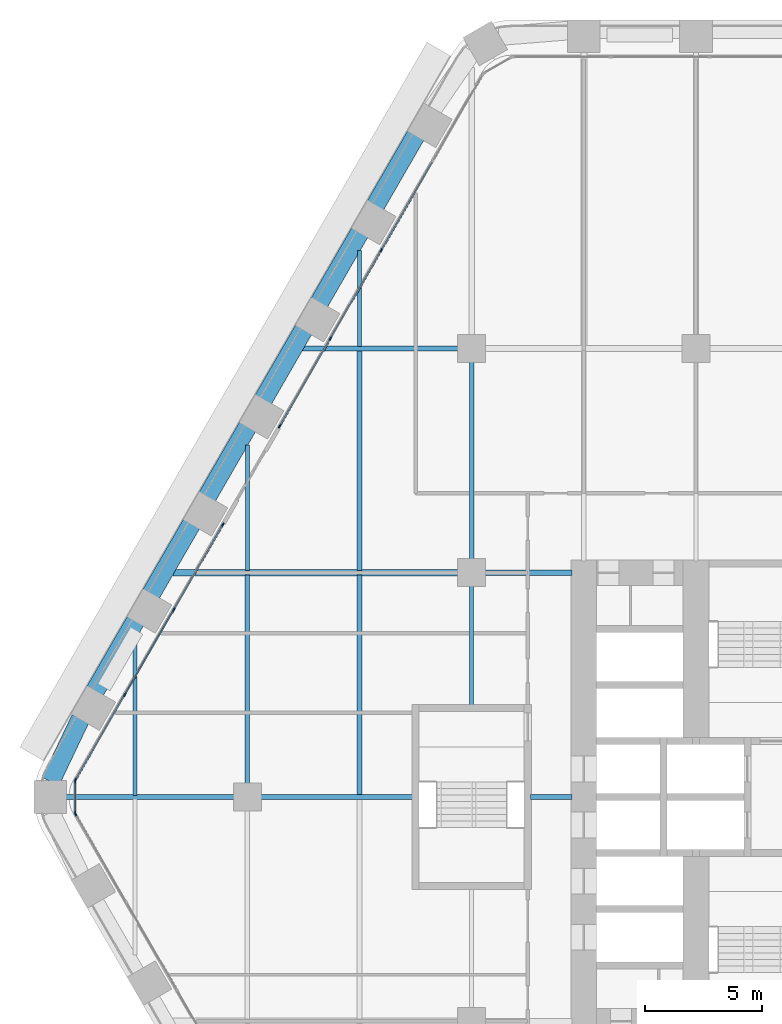
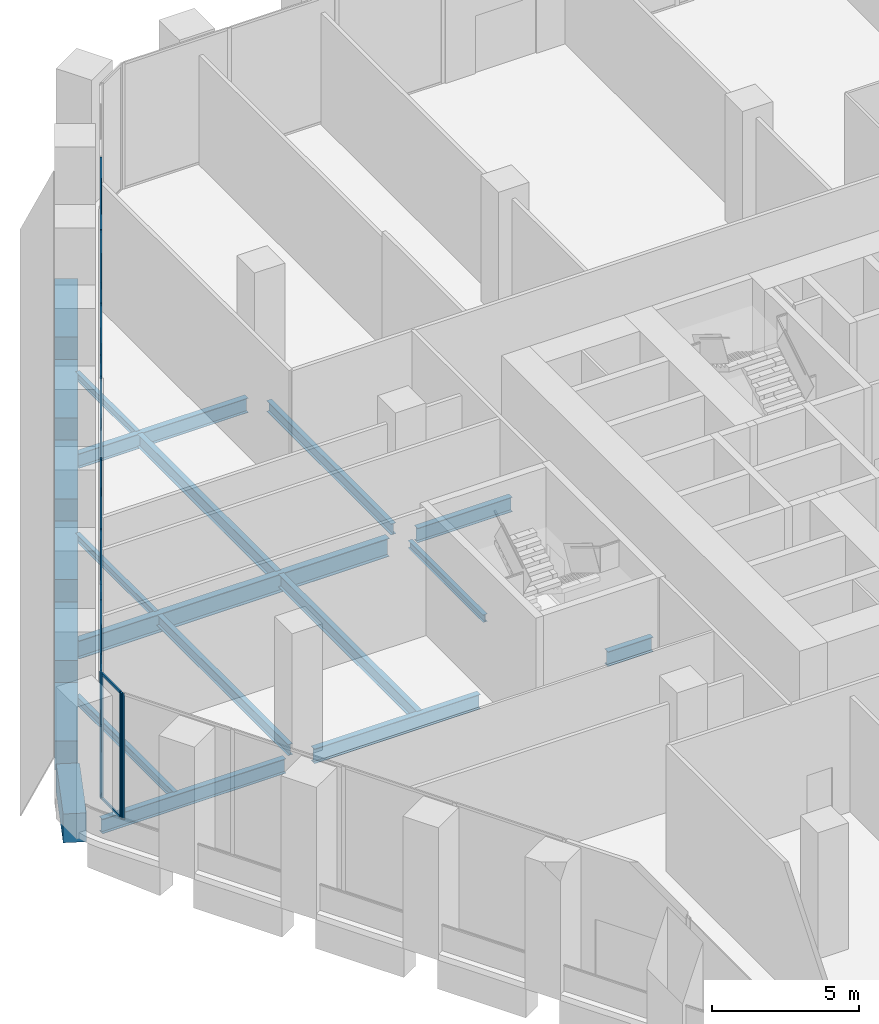
# One storey, part 7 of 27: 24 members, 21 beams, 4 elements without a shape of their own.
"""IFC4 building model written with IfcOpenShell, lengths in metres."""

from ifc_helpers import new_model, si_unit, direction, frame, origin, origin_2d, place, context, subcontext, project, spatial, rectangle, i_section, extrude, material, material_profile, profile_set, type_object, element, aggregate, save


model = new_model("IFC4")

# Units and contexts
model_context = context("Model", 3, precision=1e-05, world=origin(), true_north=direction((0.0, 1.0)))
body_context = subcontext(model_context, "Body", "Model", "MODEL_VIEW")
ifc_project = project(units=[si_unit("LENGTHUNIT", "METRE"), si_unit("AREAUNIT", "SQUARE_METRE"), si_unit("VOLUMEUNIT", "CUBIC_METRE"), si_unit("PLANEANGLEUNIT", "RADIAN"), si_unit("MASSUNIT", "GRAM", prefix="KILO")], contexts=[model_context])

# Site, building, storey
site_placement = place(None, origin())
site = spatial("IfcSite", under=ifc_project, at=site_placement, CompositionType="ELEMENT")
building_placement = place(site_placement, origin())
building = spatial("IfcBuilding", under=site, at=building_placement, Name="Kolab Exchange Tower", CompositionType="ELEMENT")
storey_placement = place(building_placement, frame((0.0, 0.0, 22.39990234375)))
storey = spatial("IfcBuildingStorey", under=building, at=storey_placement, Name="L04", CompositionType="ELEMENT", Elevation=22.39990234375)

# Beams
ifc_material_1 = material(Name="Steel S355", Category="steel")
ifc_material_profile_1 = material_profile(ifc_material_1, i_section(OverallWidth=0.1650390625, OverallDepth=0.31005859375, WebThickness=0.005859375, FlangeThickness=0.009765625, at=origin_2d()), Name="W310X39")
ifc_profile_set_1 = profile_set([ifc_material_profile_1], Name="Steel S355")
beam_type_1 = type_object("IfcBeamType", Name="FLOOR BEAM W310X39", PredefinedType="BEAM", material=ifc_profile_set_1)
beam_1_placement = place(storey_placement, frame((-28.800048828125, 9.693603515625, -0.40478515625), z_axis=(0.0, 1.0, 0.0), x_axis=(-1.0, 0.0, 0.0)))
element("IfcBeam", 1, at=beam_1_placement, inside=storey, type_object=beam_type_1, Name="beam/L04/fr/005", PredefinedType="BEAM", context=body_context, shape_type="SweptSolid", body=[
    extrude(i_section(OverallWidth=0.1650390625, OverallDepth=0.31005859375, WebThickness=0.005859375, FlangeThickness=0.009765625, at=origin_2d()), origin(), (0.0, 0.0, 1.0), 5.3740234375),
])
beam_2_placement = place(storey_placement, frame((-24.0, 19.27392578125, -0.40478515625), z_axis=(0.0, 1.0, 0.0), x_axis=(-1.0, 0.0, 0.0)))
element("IfcBeam", 2, at=beam_2_placement, inside=storey, type_object=beam_type_1, Name="beam/L04/fr/011", PredefinedType="BEAM", context=body_context, shape_type="SweptSolid", body=[
    extrude(i_section(OverallWidth=0.1650390625, OverallDepth=0.31005859375, WebThickness=0.005859375, FlangeThickness=0.009765625, at=origin_2d()), origin(), (0.0, 0.0, 1.0), 4.107666015625),
])
beam_3_placement = place(storey_placement, frame((-19.199951171875, 3.909912109375, -0.40478515625), z_axis=(0.0, 1.0, 0.0), x_axis=(-1.0, 0.0, 0.0)))
element("IfcBeam", 3, at=beam_3_placement, inside=storey, type_object=beam_type_1, Name="beam/L04/fr/015", PredefinedType="BEAM", context=body_context, shape_type="SweptSolid", body=[
    extrude(i_section(OverallWidth=0.1650390625, OverallDepth=0.31005859375, WebThickness=0.005859375, FlangeThickness=0.009765625, at=origin_2d()), origin(), (0.0, 0.0, 1.0), 5.130126953125),
])
ifc_material_profile_2 = material_profile(ifc_material_1, i_section(OverallWidth=0.1708984375, OverallDepth=0.35498046875, WebThickness=0.007080078125, FlangeThickness=0.01171875, at=origin_2d()), Name="W360X51")
ifc_profile_set_2 = profile_set([ifc_material_profile_2], Name="Steel S355")
beam_type_2 = type_object("IfcBeamType", Name="FLOOR BEAM W360X51", PredefinedType="BEAM", material=ifc_profile_set_2)
beam_4_placement = place(storey_placement, frame((-33.60009765625, 0.073974609375, -0.427490234375), z_axis=(0.0, 1.0, 0.0), x_axis=(-1.0, 0.0, 0.0)))
element("IfcBeam", 4, at=beam_4_placement, inside=storey, type_object=beam_type_2, Name="beam/L04/fr/001", PredefinedType="BEAM", context=body_context, shape_type="SweptSolid", body=[
    extrude(i_section(OverallWidth=0.1708984375, OverallDepth=0.35498046875, WebThickness=0.007080078125, FlangeThickness=0.01171875, at=origin_2d()), origin(), (0.0, 0.0, 1.0), 6.679931640625),
])
ifc_material_profile_3 = material_profile(ifc_material_1, i_section(OverallWidth=0.18994140625, OverallDepth=0.45703125, WebThickness=0.009033203125, FlangeThickness=0.014404296875, at=origin_2d()), Name="W460X74")
ifc_profile_set_3 = profile_set([ifc_material_profile_3], Name="Steel S355")
beam_type_3 = type_object("IfcBeamType", Name="FLOOR BEAM W460X74", PredefinedType="BEAM", material=ifc_profile_set_3)
beam_5_placement = place(storey_placement, frame((-28.800048828125, 0.56005859375, -0.478515625), z_axis=(0.0, 1.0, 0.0), x_axis=(-1.0, 0.0, 0.0)))
element("IfcBeam", 5, at=beam_5_placement, inside=storey, type_object=beam_type_3, Name="beam/L04/fr/004", PredefinedType="BEAM", context=body_context, shape_type="SweptSolid", body=[
    extrude(i_section(OverallWidth=0.18994140625, OverallDepth=0.45703125, WebThickness=0.009033203125, FlangeThickness=0.014404296875, at=origin_2d()), origin(), (0.0, 0.0, 1.0), 8.946533203125),
])
beam_6_placement = place(storey_placement, frame((-19.199951171875, 10.159912109375, -0.478515625), z_axis=(0.0, 1.0, 0.0), x_axis=(-1.0, 0.0, 0.0)))
element("IfcBeam", 6, at=beam_6_placement, inside=storey, type_object=beam_type_3, Name="beam/L04/fr/016", PredefinedType="BEAM", context=body_context, shape_type="SweptSolid", body=[
    extrude(i_section(OverallWidth=0.18994140625, OverallDepth=0.45703125, WebThickness=0.009033203125, FlangeThickness=0.014404296875, at=origin_2d()), origin(), (0.0, 0.0, 1.0), 8.47998046875),
])
ifc_material_profile_4 = material_profile(ifc_material_1, i_section(OverallWidth=0.208984375, OverallDepth=0.532958984375, WebThickness=0.01025390625, FlangeThickness=0.015625, at=origin_2d()), Name="W530X92")
ifc_profile_set_4 = profile_set([ifc_material_profile_4], Name="Steel S355")
beam_type_4 = type_object("IfcBeamType", Name="FLOOR BEAM W530X92", PredefinedType="BEAM", material=ifc_profile_set_4)
beam_7_placement = place(storey_placement, frame((-24.0, 0.073974609375, -0.516357421875), z_axis=(0.0, 1.0, 0.0), x_axis=(-1.0, 0.0, 0.0)))
element("IfcBeam", 7, at=beam_7_placement, inside=storey, type_object=beam_type_4, Name="beam/L04/fr/009", PredefinedType="BEAM", context=body_context, shape_type="SweptSolid", body=[
    extrude(i_section(OverallWidth=0.208984375, OverallDepth=0.532958984375, WebThickness=0.01025390625, FlangeThickness=0.015625, at=origin_2d()), origin(), (0.0, 0.0, 1.0), 9.4326171875),
])
beam_8_placement = place(storey_placement, frame((-24.0, 9.693603515625, -0.516357421875), z_axis=(0.0, 1.0, 0.0), x_axis=(-1.0, 0.0, 0.0)))
element("IfcBeam", 8, at=beam_8_placement, inside=storey, type_object=beam_type_4, Name="beam/L04/fr/010", PredefinedType="BEAM", context=body_context, shape_type="SweptSolid", body=[
    extrude(i_section(OverallWidth=0.208984375, OverallDepth=0.532958984375, WebThickness=0.01025390625, FlangeThickness=0.015625, at=origin_2d()), origin(), (0.0, 0.0, 1.0), 9.432373046875),
])
ifc_material_profile_5 = material_profile(ifc_material_1, i_section(OverallWidth=0.22802734375, OverallDepth=0.60791015625, WebThickness=0.01123046875, FlangeThickness=0.017333984375, at=origin_2d()), Name="W610X113")
ifc_profile_set_5 = profile_set([ifc_material_profile_5], Name="Steel S355")
beam_type_5 = type_object("IfcBeamType", Name="FLOOR GIRDER W610X113", PredefinedType="BEAM", material=ifc_profile_set_5)
beam_9_placement = place(storey_placement, frame((-36.575927734375, 0.0, -0.553955078125), z_axis=(1.0, 0.0, 0.0), x_axis=(0.0, 1.0, 0.0)))
element("IfcBeam", 9, at=beam_9_placement, inside=storey, type_object=beam_type_5, Name="beam/L04/gd/000", PredefinedType="BEAM", context=body_context, shape_type="SweptSolid", body=[
    extrude(i_section(OverallWidth=0.22802734375, OverallDepth=0.60791015625, WebThickness=0.01123046875, FlangeThickness=0.017333984375, at=origin_2d()), origin(), (0.0, 0.0, 1.0), 7.2158203125),
])
beam_10_placement = place(storey_placement, frame((-28.239990234375, 0.0, -0.553955078125), z_axis=(1.0, 0.0, 0.0), x_axis=(0.0, 1.0, 0.0)))
element("IfcBeam", 10, at=beam_10_placement, inside=storey, type_object=beam_type_5, Name="beam/L04/gd/003", PredefinedType="BEAM", context=body_context, shape_type="SweptSolid", body=[
    extrude(i_section(OverallWidth=0.22802734375, OverallDepth=0.60791015625, WebThickness=0.01123046875, FlangeThickness=0.017333984375, at=origin_2d()), origin(), (0.0, 0.0, 1.0), 6.530029296875),
])
beam_11_placement = place(storey_placement, frame((-26.43115234375, 19.199951171875, -0.553955078125), z_axis=(1.0, 0.0, 0.0), x_axis=(0.0, 1.0, 0.0)))
element("IfcBeam", 11, at=beam_11_placement, inside=storey, type_object=beam_type_5, Name="beam/L04/gd/005", PredefinedType="BEAM", context=body_context, shape_type="SweptSolid", body=[
    extrude(i_section(OverallWidth=0.22802734375, OverallDepth=0.60791015625, WebThickness=0.01123046875, FlangeThickness=0.017333984375, at=origin_2d()), origin(), (0.0, 0.0, 1.0), 6.671142578125),
])
beam_12_placement = place(storey_placement, frame((-18.639892578125, 9.60009765625, -0.553955078125), z_axis=(1.0, 0.0, 0.0), x_axis=(0.0, 1.0, 0.0)))
element("IfcBeam", 12, at=beam_12_placement, inside=storey, type_object=beam_type_5, Name="beam/L04/gd/008", PredefinedType="BEAM", context=body_context, shape_type="SweptSolid", body=[
    extrude(i_section(OverallWidth=0.22802734375, OverallDepth=0.60791015625, WebThickness=0.01123046875, FlangeThickness=0.017333984375, at=origin_2d()), origin(), (0.0, 0.0, 1.0), 3.72998046875),
])
beam_13_placement = place(storey_placement, frame((-16.68994140625, 0.0, -0.553955078125), z_axis=(1.0, 0.0, 0.0), x_axis=(0.0, 1.0, 0.0)))
element("IfcBeam", 13, at=beam_13_placement, inside=storey, type_object=beam_type_5, Name="beam/L04/gd/010", PredefinedType="BEAM", context=body_context, shape_type="SweptSolid", body=[
    extrude(i_section(OverallWidth=0.22802734375, OverallDepth=0.60791015625, WebThickness=0.01123046875, FlangeThickness=0.017333984375, at=origin_2d()), origin(), (0.0, 0.0, 1.0), 1.780029296875),
])
ifc_material_profile_6 = material_profile(ifc_material_1, i_section(OverallWidth=0.26708984375, OverallDepth=0.761962890625, WebThickness=0.014404296875, FlangeThickness=0.021484375, at=origin_2d()), Name="W760X173")
ifc_profile_set_6 = profile_set([ifc_material_profile_6], Name="Steel S355")
beam_type_6 = type_object("IfcBeamType", Name="FLOOR GIRDER W760X173", PredefinedType="BEAM", material=ifc_profile_set_6)
beam_14_placement = place(storey_placement, frame((-31.9736328125, 9.60009765625, -0.630859375), z_axis=(1.0, 0.0, 0.0), x_axis=(0.0, 1.0, 0.0)))
element("IfcBeam", 14, at=beam_14_placement, inside=storey, type_object=beam_type_6, Name="beam/L04/gd/002", PredefinedType="BEAM", context=body_context, shape_type="SweptSolid", body=[
    extrude(i_section(OverallWidth=0.26708984375, OverallDepth=0.761962890625, WebThickness=0.014404296875, FlangeThickness=0.021484375, at=origin_2d()), origin(), (0.0, 0.0, 1.0), 12.213623046875),
])
ifc_material_2 = material(Name="Concrete C80/95", Category="concrete")
ifc_material_profile_7 = material_profile(ifc_material_2, rectangle(XDim=0.800048828125, YDim=1.199951171875, at=origin_2d()), Name="RC800X1200")
ifc_profile_set_7 = profile_set([ifc_material_profile_7], Name="Concrete C80/95")
beam_type_7 = type_object("IfcBeamType", Name="SPANDREL BEAM 800X1200 C80/95", PredefinedType="BEAM", material=ifc_profile_set_7)
beam_15_placement = place(storey_placement, frame((-37.219970703125, 0.663818359375, -0.849853515625), z_axis=(0.429555669245, 0.903040379507, 0.0), x_axis=(-0.903040379507, 0.429555669245, 0.0)))
element("IfcBeam", 15, at=beam_15_placement, inside=storey, type_object=beam_type_7, Name="beam/L04/sp/F6-01", PredefinedType="BEAM", context=body_context, shape_type="SweptSolid", body=[
    extrude(rectangle(XDim=0.800048828125, YDim=1.199951171875, at=origin_2d()), origin(), (0.0, 0.0, 1.0), 2.984375),
])
beam_16_placement = place(storey_placement, frame((-35.323486328125, 4.528564453125, -0.849853515625), z_axis=(0.500009906705, 0.86601968407, 0.0), x_axis=(-0.86601968407, 0.500009906705, 0.0)))
element("IfcBeam", 16, at=beam_16_placement, inside=storey, type_object=beam_type_7, Name="beam/L04/sp/F6-02", PredefinedType="BEAM", context=body_context, shape_type="SweptSolid", body=[
    extrude(rectangle(XDim=0.800048828125, YDim=1.199951171875, at=origin_2d()), origin(), (0.0, 0.0, 1.0), 3.47998046875),
])
for number, where, z_axis, x_axis, name in (
    (17, (-32.923583984375, 8.685302734375, -0.849853515625), (0.499979528911, 0.866037222451, 0.0), (-0.866037222451, 0.499979528911, 0.0), "beam/L04/sp/F6-03"),
    (18, (-30.523681640625, 12.84228515625, -0.849853515625), (0.499979528911, 0.866037222451, 0.0), (-0.866037222451, 0.499979528911, 0.0), "beam/L04/sp/F6-04"),
):
    element("IfcBeam", number, at=place(storey_placement, frame(where, z_axis=z_axis, x_axis=x_axis)), inside=storey, type_object=beam_type_7, Name=name, PredefinedType="BEAM", context=body_context, shape_type="SweptSolid", body=[
        extrude(rectangle(XDim=0.800048828125, YDim=1.199951171875, at=origin_2d()), origin(), (0.0, 0.0, 1.0), 3.480224609375),
    ])
for number, where, z_axis, x_axis, name in (
    (19, (-28.12353515625, 16.999267578125, -0.849853515625), (0.500009906705, 0.86601968407, 0.0), (-0.86601968407, 0.500009906705, 0.0), "beam/L04/sp/F6-05"),
    (20, (-25.7236328125, 21.15625, -0.849853515625), (0.500009906705, 0.86601968407, 0.0), (-0.86601968407, 0.500009906705, 0.0), "beam/L04/sp/F6-06"),
):
    element("IfcBeam", number, at=place(storey_placement, frame(where, z_axis=z_axis, x_axis=x_axis)), inside=storey, type_object=beam_type_7, Name=name, PredefinedType="BEAM", context=body_context, shape_type="SweptSolid", body=[
        extrude(rectangle(XDim=0.800048828125, YDim=1.199951171875, at=origin_2d()), origin(), (0.0, 0.0, 1.0), 3.47998046875),
    ])
beam_17_placement = place(storey_placement, frame((-23.323486328125, 25.31298828125, -0.849853515625), z_axis=(0.499979528911, 0.866037222451, 0.0), x_axis=(-0.866037222451, 0.499979528911, 0.0)))
element("IfcBeam", 21, at=beam_17_placement, inside=storey, type_object=beam_type_7, Name="beam/L04/sp/F6-07", PredefinedType="BEAM", context=body_context, shape_type="SweptSolid", body=[
    extrude(rectangle(XDim=0.800048828125, YDim=1.199951171875, at=origin_2d()), origin(), (0.0, 0.0, 1.0), 3.480224609375),
])

# Curtain wall, member
ifc_material_3 = material(Name="Aluminium EN AW-6063 T6", Category="aluminium")
curtain_wall_type = type_object("IfcCurtainWallType", Name="UNITISED LOW ZONE CURTAIN WALL", PredefinedType="NOTDEFINED", material=ifc_material_3)
curtain_wall_1_placement = place(storey_placement, origin())
curtain_wall_1 = element("IfcCurtainWall", 22, at=curtain_wall_1_placement, inside=storey, type_object=curtain_wall_type, Name="cw/L04/F5-2", PredefinedType="NOTDEFINED")
ifc_material_profile_8 = material_profile(ifc_material_3, rectangle(XDim=0.06005859375, YDim=0.159912109375, at=origin_2d()), Name="RECT 60X160")
ifc_profile_set_8 = profile_set([ifc_material_profile_8], Name="Aluminium EN AW-6063 T6")
member_type_1 = type_object("IfcMemberType", Name="UNITISED LOW ZONE MULLION 60 X 160", PredefinedType="MULLION", material=ifc_profile_set_8)
member_1_placement = place(storey_placement, frame((-36.150634765625, -0.736083984375, 0.0), z_axis=(0.0, 0.0, 1.0), x_axis=(-0.866025422102, -0.499999968274, 0.0)))
member_1 = element("IfcMember", 23, at=member_1_placement, type_object=member_type_1, Name="CW1 mullion 5", PredefinedType="MULLION", context=body_context, shape_type="SweptSolid", body=[
    extrude(rectangle(XDim=0.06005859375, YDim=0.159912109375, at=origin_2d()), origin(), (0.0, 0.0, 1.0), 5.25),
])
aggregate(curtain_wall_1, [member_1])

# Curtain wall, members
curtain_wall_2_placement = place(storey_placement, origin())
curtain_wall_2 = element("IfcCurtainWall", 24, at=curtain_wall_2_placement, inside=storey, type_object=curtain_wall_type, Name="cw/L04/F6-1", PredefinedType="NOTDEFINED")
member_2_placement = place(storey_placement, frame((-36.150634765625, 0.736083984375, 0.0), z_axis=(0.0, 0.0, 1.0), x_axis=(-0.866025427826, 0.499999958358, 0.0)))
member_2 = element("IfcMember", 25, at=member_2_placement, type_object=member_type_1, Name="CW1 mullion 1", PredefinedType="MULLION", context=body_context, shape_type="SweptSolid", body=[
    extrude(rectangle(XDim=0.06005859375, YDim=0.159912109375, at=origin_2d()), origin(), (0.0, 0.0, 1.0), 5.25),
])
member_3_placement = place(storey_placement, frame((-34.054443359375, 4.366943359375, 0.0), z_axis=(0.0, 0.0, 1.0), x_axis=(-0.866025427826, 0.499999958358, 0.0)))
member_3 = element("IfcMember", 26, at=member_3_placement, type_object=member_type_1, Name="CW1 mullion 2", PredefinedType="MULLION", context=body_context, shape_type="SweptSolid", body=[
    extrude(rectangle(XDim=0.06005859375, YDim=0.159912109375, at=origin_2d()), origin(), (0.0, 0.0, 1.0), 5.25),
])
member_4_placement = place(storey_placement, frame((-31.943115234375, 8.02392578125, 0.0), z_axis=(0.0, 0.0, 1.0), x_axis=(-0.866025427826, 0.499999958358, 0.0)))
member_4 = element("IfcMember", 27, at=member_4_placement, type_object=member_type_1, Name="CW1 mullion 3", PredefinedType="MULLION", context=body_context, shape_type="SweptSolid", body=[
    extrude(rectangle(XDim=0.06005859375, YDim=0.159912109375, at=origin_2d()), origin(), (0.0, 0.0, 1.0), 5.25),
])
member_5_placement = place(storey_placement, frame((-29.8466796875, 11.65478515625, 0.0), z_axis=(0.0, 0.0, 1.0), x_axis=(-0.866025427826, 0.499999958358, 0.0)))
member_5 = element("IfcMember", 28, at=member_5_placement, type_object=member_type_1, Name="CW1 mullion 4", PredefinedType="MULLION", context=body_context, shape_type="SweptSolid", body=[
    extrude(rectangle(XDim=0.06005859375, YDim=0.159912109375, at=origin_2d()), origin(), (0.0, 0.0, 1.0), 5.25),
])

curtain_wall_3_placement = place(storey_placement, origin())
curtain_wall_3 = element("IfcCurtainWall", 29, at=curtain_wall_3_placement, inside=storey, type_object=curtain_wall_type, Name="cw/L04/F6-2", PredefinedType="NOTDEFINED")
member_6_placement = place(storey_placement, frame((-27.416748046875, 15.86376953125, 0.0), z_axis=(0.0, 0.0, 1.0), x_axis=(-0.866025397318, 0.5000000112, 0.0)))
member_6 = element("IfcMember", 30, at=member_6_placement, type_object=member_type_1, Name="CW1 mullion 1", PredefinedType="MULLION", context=body_context, shape_type="SweptSolid", body=[
    extrude(rectangle(XDim=0.06005859375, YDim=0.159912109375, at=origin_2d()), origin(), (0.0, 0.0, 1.0), 5.25),
])
member_7_placement = place(storey_placement, frame((-25.248291015625, 19.61962890625, 0.0), z_axis=(0.0, 0.0, 1.0), x_axis=(-0.866025397318, 0.5000000112, 0.0)))
member_7 = element("IfcMember", 31, at=member_7_placement, type_object=member_type_1, Name="CW1 mullion 2", PredefinedType="MULLION", context=body_context, shape_type="SweptSolid", body=[
    extrude(rectangle(XDim=0.06005859375, YDim=0.159912109375, at=origin_2d()), origin(), (0.0, 0.0, 1.0), 5.25),
])
member_8_placement = place(storey_placement, frame((-23.064697265625, 23.401611328125, 0.0), z_axis=(0.0, 0.0, 1.0), x_axis=(-0.866025397318, 0.5000000112, 0.0)))
member_8 = element("IfcMember", 32, at=member_8_placement, type_object=member_type_1, Name="CW1 mullion 3", PredefinedType="MULLION", context=body_context, shape_type="SweptSolid", body=[
    extrude(rectangle(XDim=0.06005859375, YDim=0.159912109375, at=origin_2d()), origin(), (0.0, 0.0, 1.0), 5.25),
])

curtain_wall_4_placement = place(storey_placement, origin())
curtain_wall_4 = element("IfcCurtainWall", 33, at=curtain_wall_4_placement, inside=storey, type_object=curtain_wall_type, Name="cw/L04/F5F6-corner", PredefinedType="NOTDEFINED")
member_9_placement = place(storey_placement, frame((-36.165771484375, -0.679931640625, 0.0), z_axis=(0.0, 0.0, 1.0), x_axis=(-1.0, 0.0, 0.0)))
member_9 = element("IfcMember", 34, at=member_9_placement, type_object=member_type_1, Name="CW1 mullion 1", PredefinedType="MULLION", context=body_context, shape_type="SweptSolid", body=[
    extrude(rectangle(XDim=0.06005859375, YDim=0.159912109375, at=origin_2d()), origin(), (0.0, 0.0, 1.0), 5.25),
])
member_10_placement = place(storey_placement, frame((-36.165771484375, 0.679931640625, 0.0), z_axis=(0.0, 0.0, 1.0), x_axis=(-1.0, 0.0, 0.0)))
member_10 = element("IfcMember", 35, at=member_10_placement, type_object=member_type_1, Name="CW1 mullion 2", PredefinedType="MULLION", context=body_context, shape_type="SweptSolid", body=[
    extrude(rectangle(XDim=0.06005859375, YDim=0.159912109375, at=origin_2d()), origin(), (0.0, 0.0, 1.0), 5.25),
])

# Member
ifc_material_profile_9 = material_profile(ifc_material_3, rectangle(XDim=0.06005859375, YDim=0.10009765625, at=origin_2d()), Name="RECT 60X100")
ifc_profile_set_9 = profile_set([ifc_material_profile_9], Name="Aluminium EN AW-6063 T6")
member_type_2 = type_object("IfcMemberType", Name="UNITISED LOW ZONE TRANSOM 60 X 100", PredefinedType="USERDEFINED", material=ifc_profile_set_9)
member_11_placement = place(storey_placement, frame((-36.1357421875, 0.761962890625, 0.030029296875), z_axis=(0.500027577057, 0.866009481578, 0.0), x_axis=(-0.866009481578, 0.500027577057, 0.0)))
member_11 = element("IfcMember", 36, at=member_11_placement, type_object=member_type_2, Name="CW1 transom 1.1", ObjectType="TRANSOM", PredefinedType="USERDEFINED", context=body_context, shape_type="SweptSolid", body=[
    extrude(rectangle(XDim=0.06005859375, YDim=0.10009765625, at=origin_2d()), origin(), (0.0, 0.0, 1.0), 4.132568359375),
])

member_12_placement = place(storey_placement, frame((-36.1357421875, 0.761962890625, 5.22021484375), z_axis=(0.500027577057, 0.866009481578, 0.0), x_axis=(-0.866009481578, 0.500027577057, 0.0)))
member_12 = element("IfcMember", 37, at=member_12_placement, type_object=member_type_2, Name="CW1 transom 1.2", ObjectType="TRANSOM", PredefinedType="USERDEFINED", context=body_context, shape_type="SweptSolid", body=[
    extrude(rectangle(XDim=0.06005859375, YDim=0.10009765625, at=origin_2d()), origin(), (0.0, 0.0, 1.0), 4.132568359375),
])

member_13_placement = place(storey_placement, frame((-34.039306640625, 4.392822265625, 0.030029296875), z_axis=(0.49999322259, 0.866029316688, 0.0), x_axis=(-0.866029316688, 0.49999322259, 0.0)))
member_13 = element("IfcMember", 38, at=member_13_placement, type_object=member_type_2, Name="CW1 transom 2.1", ObjectType="TRANSOM", PredefinedType="USERDEFINED", context=body_context, shape_type="SweptSolid", body=[
    extrude(rectangle(XDim=0.06005859375, YDim=0.10009765625, at=origin_2d()), origin(), (0.0, 0.0, 1.0), 4.16259765625),
])

member_14_placement = place(storey_placement, frame((-34.039306640625, 4.392822265625, 5.22021484375), z_axis=(0.49999322259, 0.866029316688, 0.0), x_axis=(-0.866029316688, 0.49999322259, 0.0)))
member_14 = element("IfcMember", 39, at=member_14_placement, type_object=member_type_2, Name="CW1 transom 2.2", ObjectType="TRANSOM", PredefinedType="USERDEFINED", context=body_context, shape_type="SweptSolid", body=[
    extrude(rectangle(XDim=0.06005859375, YDim=0.10009765625, at=origin_2d()), origin(), (0.0, 0.0, 1.0), 4.16259765625),
])

member_15_placement = place(storey_placement, frame((-31.927978515625, 8.0498046875, 0.030029296875), z_axis=(0.500001996123, 0.866024251319, 0.0), x_axis=(-0.866024251319, 0.500001996123, 0.0)))
member_15 = element("IfcMember", 40, at=member_15_placement, type_object=member_type_2, Name="CW1 transom 3.1", ObjectType="TRANSOM", PredefinedType="USERDEFINED", context=body_context, shape_type="SweptSolid", body=[
    extrude(rectangle(XDim=0.06005859375, YDim=0.10009765625, at=origin_2d()), origin(), (0.0, 0.0, 1.0), 4.1328125),
])

member_16_placement = place(storey_placement, frame((-31.927978515625, 8.0498046875, 5.22021484375), z_axis=(0.500001996123, 0.866024251319, 0.0), x_axis=(-0.866024251319, 0.500001996123, 0.0)))
member_16 = element("IfcMember", 41, at=member_16_placement, type_object=member_type_2, Name="CW1 transom 3.2", ObjectType="TRANSOM", PredefinedType="USERDEFINED", context=body_context, shape_type="SweptSolid", body=[
    extrude(rectangle(XDim=0.06005859375, YDim=0.10009765625, at=origin_2d()), origin(), (0.0, 0.0, 1.0), 4.1328125),
])

aggregate(curtain_wall_2, [member_2, member_3, member_4, member_5, member_11, member_12, member_13, member_14, member_15, member_16])

member_17_placement = place(storey_placement, frame((-27.401611328125, 15.8896484375, 0.030029296875), z_axis=(0.499976099074, 0.866039202551, 0.0), x_axis=(-0.866039202551, 0.499976099074, 0.0)))
member_17 = element("IfcMember", 42, at=member_17_placement, type_object=member_type_2, Name="CW1 transom 1.1", ObjectType="TRANSOM", PredefinedType="USERDEFINED", context=body_context, shape_type="SweptSolid", body=[
    extrude(rectangle(XDim=0.06005859375, YDim=0.10009765625, at=origin_2d()), origin(), (0.0, 0.0, 1.0), 4.277099609375),
])

member_18_placement = place(storey_placement, frame((-27.401611328125, 15.8896484375, 5.22021484375), z_axis=(0.499976099074, 0.866039202551, 0.0), x_axis=(-0.866039202551, 0.499976099074, 0.0)))
member_18 = element("IfcMember", 43, at=member_18_placement, type_object=member_type_2, Name="CW1 transom 1.2", ObjectType="TRANSOM", PredefinedType="USERDEFINED", context=body_context, shape_type="SweptSolid", body=[
    extrude(rectangle(XDim=0.06005859375, YDim=0.10009765625, at=origin_2d()), origin(), (0.0, 0.0, 1.0), 4.277099609375),
])

member_19_placement = place(storey_placement, frame((-25.233154296875, 19.6455078125, 0.030029296875), z_axis=(0.500010313095, 0.866019449435, 0.0), x_axis=(-0.866019449435, 0.500010313095, 0.0)))
member_19 = element("IfcMember", 44, at=member_19_placement, type_object=member_type_2, Name="CW1 transom 2.1", ObjectType="TRANSOM", PredefinedType="USERDEFINED", context=body_context, shape_type="SweptSolid", body=[
    extrude(rectangle(XDim=0.06005859375, YDim=0.10009765625, at=origin_2d()), origin(), (0.0, 0.0, 1.0), 4.30712890625),
])

member_20_placement = place(storey_placement, frame((-25.233154296875, 19.6455078125, 5.22021484375), z_axis=(0.500010313095, 0.866019449435, 0.0), x_axis=(-0.866019449435, 0.500010313095, 0.0)))
member_20 = element("IfcMember", 45, at=member_20_placement, type_object=member_type_2, Name="CW1 transom 2.2", ObjectType="TRANSOM", PredefinedType="USERDEFINED", context=body_context, shape_type="SweptSolid", body=[
    extrude(rectangle(XDim=0.06005859375, YDim=0.10009765625, at=origin_2d()), origin(), (0.0, 0.0, 1.0), 4.30712890625),
])

member_21_placement = place(storey_placement, frame((-23.0498046875, 23.427490234375, 0.030029296875), z_axis=(0.500010313095, 0.866019449435, 0.0), x_axis=(-0.866019449435, 0.500010313095, 0.0)))
member_21 = element("IfcMember", 46, at=member_21_placement, type_object=member_type_2, Name="CW1 transom 3.1", ObjectType="TRANSOM", PredefinedType="USERDEFINED", context=body_context, shape_type="SweptSolid", body=[
    extrude(rectangle(XDim=0.06005859375, YDim=0.10009765625, at=origin_2d()), origin(), (0.0, 0.0, 1.0), 4.30712890625),
])

member_22_placement = place(storey_placement, frame((-23.0498046875, 23.427490234375, 5.22021484375), z_axis=(0.500010313095, 0.866019449435, 0.0), x_axis=(-0.866019449435, 0.500010313095, 0.0)))
member_22 = element("IfcMember", 47, at=member_22_placement, type_object=member_type_2, Name="CW1 transom 3.2", ObjectType="TRANSOM", PredefinedType="USERDEFINED", context=body_context, shape_type="SweptSolid", body=[
    extrude(rectangle(XDim=0.06005859375, YDim=0.10009765625, at=origin_2d()), origin(), (0.0, 0.0, 1.0), 4.30712890625),
])

aggregate(curtain_wall_3, [member_6, member_7, member_8, member_17, member_18, member_19, member_20, member_21, member_22])

member_23_placement = place(storey_placement, frame((-36.165771484375, -0.64990234375, 0.030029296875), z_axis=(0.0, 1.0, 0.0), x_axis=(-1.0, 0.0, 0.0)))
member_23 = element("IfcMember", 48, at=member_23_placement, type_object=member_type_2, Name="CW1 transom 1.1", ObjectType="TRANSOM", PredefinedType="USERDEFINED", context=body_context, shape_type="SweptSolid", body=[
    extrude(rectangle(XDim=0.06005859375, YDim=0.10009765625, at=origin_2d()), origin(), (0.0, 0.0, 1.0), 1.2998046875),
])

member_24_placement = place(storey_placement, frame((-36.165771484375, -0.64990234375, 5.22021484375), z_axis=(0.0, 1.0, 0.0), x_axis=(-1.0, 0.0, 0.0)))
member_24 = element("IfcMember", 49, at=member_24_placement, type_object=member_type_2, Name="CW1 transom 1.2", ObjectType="TRANSOM", PredefinedType="USERDEFINED", context=body_context, shape_type="SweptSolid", body=[
    extrude(rectangle(XDim=0.06005859375, YDim=0.10009765625, at=origin_2d()), origin(), (0.0, 0.0, 1.0), 1.2998046875),
])

aggregate(curtain_wall_4, [member_9, member_10, member_23, member_24])

save(model, "model.ifc")
